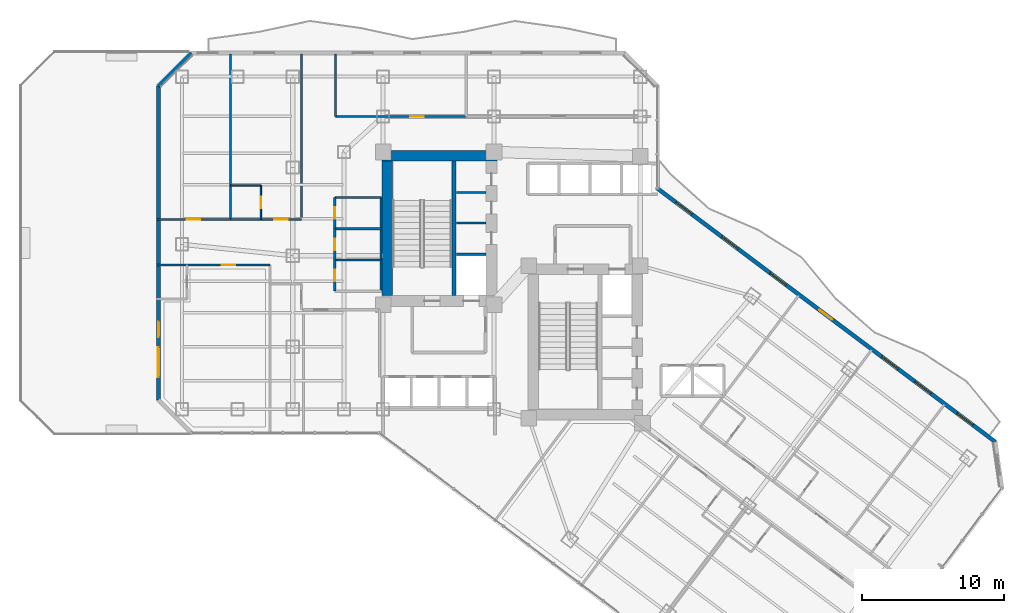
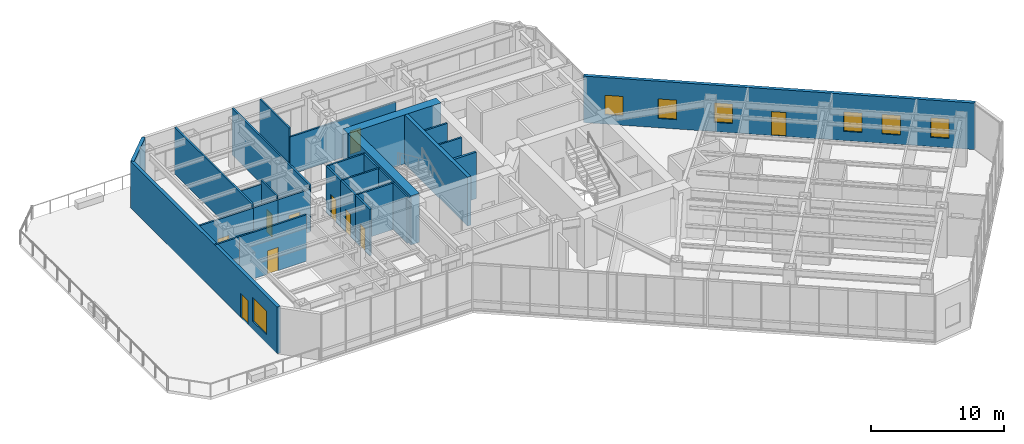
# One storey, part 18 of 27: 27 walls, 10 doors, 7 windows, 17 openings.
"""IFC4 building model written with IfcOpenShell, lengths in metres."""

import ifcopenshell
import ifcopenshell.guid

model = None  # the IFC model being written
_history = None  # IfcOwnerHistory: only IFC2X3 demands one
_inside = {}  # id of a spatial element -> (the spatial element, [elements in it])
_under = {}  # id of a project, library or spatial element -> (it, [spatial elements below it])
_declared = {}  # id of a project -> (the project, [libraries it declares])
_typed = {}  # id of a type object -> (the type object, [elements of that type])
_made_of = {}  # id of a material, layer set ... -> (it, [elements and type objects made of it])


def new_model(schema):
    """Start an empty IFC model of exactly this schema.

    Asked for "IFC4X3", IfcOpenShell would pick the latest addendum, in which some entities
    have other attributes; the version numbers below select the first issue.
    IFC2X3 requires an IfcOwnerHistory on every rooted entity: one is made here for all.
    """
    global model, _history
    if schema == "IFC4X3":
        model = ifcopenshell.file(schema_version=(4, 3, 0, 0))
    else:
        model = ifcopenshell.file(schema=schema)
    _inside.clear()
    _under.clear()
    _declared.clear()
    _typed.clear()
    _made_of.clear()
    _history = None
    if model.schema == "IFC2X3":
        org = make("IfcOrganization", Name="unknown")
        user = make(
            "IfcPersonAndOrganization",
            ThePerson=make("IfcPerson", FamilyName="unknown"),
            TheOrganization=org,
        )
        app = make(
            "IfcApplication",
            ApplicationDeveloper=org,
            Version="unknown",
            ApplicationFullName="unknown",
            ApplicationIdentifier="unknown",
        )
        _history = make(
            "IfcOwnerHistory",
            OwningUser=user,
            OwningApplication=app,
            ChangeAction="ADDED",
            CreationDate=0,
        )
    return model


def make(cls, **values):
    """One entity of the class cls with the attributes given. An attribute that is None is left unset."""
    return model.create_entity(
        cls, **{name: value for name, value in values.items() if value is not None}
    )


def rooted(cls, **values):
    """An entity with a GlobalId (a new one), such as an element, a storey or a relation."""
    return make(cls, GlobalId=ifcopenshell.guid.new(), OwnerHistory=_history, **values)


def si_unit(unit_type, name, prefix=None):
    """IfcSIUnit, for example si_unit("LENGTHUNIT", "METRE", prefix="MILLI")."""
    return make("IfcSIUnit", UnitType=unit_type, Prefix=prefix, Name=name)


def assignment(units):
    """IfcUnitAssignment: the units of a project."""
    return None if units is None else make("IfcUnitAssignment", Units=units)


def point(xyz):
    """IfcCartesianPoint."""
    return None if xyz is None else make("IfcCartesianPoint", Coordinates=xyz)


def direction(xyz):
    """IfcDirection."""
    return None if xyz is None else make("IfcDirection", DirectionRatios=xyz)


def frame(location, z_axis=None, x_axis=None):
    """IfcAxis2Placement3D, a coordinate frame: its origin and axes. An axis left out is left unset."""
    return make(
        "IfcAxis2Placement3D",
        Location=point(location),
        Axis=direction(z_axis),
        RefDirection=direction(x_axis),
    )


def frame_2d(location, x_axis=None):
    """IfcAxis2Placement2D, a coordinate frame in the plane: its origin and x axis."""
    return make(
        "IfcAxis2Placement2D", Location=point(location), RefDirection=direction(x_axis)
    )


def origin():
    """The frame at (0, 0, 0) with its axes left unset."""
    return frame((0.0, 0.0, 0.0))


def place(relative_to, where):
    """IfcLocalPlacement: puts the frame where relative to a parent placement (None: the world)."""
    return make(
        "IfcLocalPlacement", PlacementRelTo=relative_to, RelativePlacement=where
    )


def context(
    kind, dimensions, precision=None, world=None, true_north=None, identifier=None
):
    """IfcGeometricRepresentationContext, for example the 3D "Model" context."""
    return make(
        "IfcGeometricRepresentationContext",
        ContextIdentifier=identifier,
        ContextType=kind,
        CoordinateSpaceDimension=dimensions,
        Precision=precision,
        WorldCoordinateSystem=world,
        TrueNorth=true_north,
    )


def subcontext(parent, identifier, kind, view, scale=None):
    """IfcGeometricRepresentationSubContext, for example "Body" below "Model"."""
    return make(
        "IfcGeometricRepresentationSubContext",
        ContextIdentifier=identifier,
        ContextType=kind,
        ParentContext=parent,
        TargetScale=scale,
        TargetView=view,
    )


def project(units=None, contexts=None):
    """IfcProject with its units and contexts."""
    return rooted(
        "IfcProject",
        Name="project",
        RepresentationContexts=contexts,
        UnitsInContext=assignment(units),
    )


def spatial(cls, under=None, at=None, **own):
    """A site, building, storey or space (cls), placed at a placement, below another one or the project."""
    s = rooted(cls, ObjectPlacement=at, **own)
    if under is not None:
        _under.setdefault(under.id(), (under, []))[1].append(s)
    return s


def profile(cls, at=None, kind="AREA", **sizes):
    """A parametric profile (cls). Its sizes go by their IFC names, for example OverallWidth=200.0."""
    return make(cls, ProfileType=kind, Position=at, **sizes)


def rectangle(**sizes):
    """IfcRectangleProfileDef."""
    return profile("IfcRectangleProfileDef", **sizes)


def extrude(swept, where, along, depth):
    """IfcExtrudedAreaSolid: the profile swept, set in the frame where, extruded along a direction by depth."""
    return make(
        "IfcExtrudedAreaSolid",
        SweptArea=swept,
        Position=where,
        ExtrudedDirection=direction(along),
        Depth=depth,
    )


def shape(context_of_items, identifier, shape_type, items):
    """IfcShapeRepresentation: the items that make up one representation, for example the "Body"."""
    return make(
        "IfcShapeRepresentation",
        ContextOfItems=context_of_items,
        RepresentationIdentifier=identifier,
        RepresentationType=shape_type,
        Items=items,
    )


def material(Name=None, Category=None):
    """IfcMaterial."""
    return make("IfcMaterial", Name=Name, Category=Category)


def layer(
    of_material, thickness, ventilated=None, Name=None, Category=None, Priority=None
):
    """IfcMaterialLayer: one layer of a wall or slab, of a material (None: an air gap)."""
    return make(
        "IfcMaterialLayer",
        Material=of_material,
        LayerThickness=thickness,
        IsVentilated=ventilated,
        Name=Name,
        Category=Category,
        Priority=Priority,
    )


def layer_set(layers, Name=None):
    """IfcMaterialLayerSet."""
    return make("IfcMaterialLayerSet", MaterialLayers=layers, LayerSetName=Name)


def made_of(thing, what):
    """Note that an element or type object is made of a material, layer set ...; save() writes the relation."""
    if what is not None:
        _made_of.setdefault(what.id(), (what, []))[1].append(thing)
    return thing


def type_object(cls, material=None, **own):
    """A type object (cls), such as IfcWallType, which elements share."""
    return made_of(rooted(cls, **own), material)


def element(
    cls,
    number,
    at=None,
    inside=None,
    cuts=None,
    type_object=None,
    material=None,
    context=None,
    identifier="Body",
    shape_type=None,
    held_by="IfcProductDefinitionShape",
    body=None,
    shapes=None,
    **own,
):
    """One element of the class cls, such as IfcWall. Its Tag is "e" and its number.

    at: its placement. inside: the storey or other place that contains it. cuts: it is an
    opening in that element (IfcRelVoidsElement). A single representation is given by context,
    identifier, shape_type and body (its items); several are given by shapes. held_by: the class
    of the entity that holds the representations. save() writes the other relations.
    """
    e = rooted(cls, Tag="e%d" % number, ObjectPlacement=at, **own)
    if body is not None:
        shapes = [shape(context, identifier, shape_type, body)]
    if shapes is not None:
        e.Representation = make(held_by, Representations=shapes)
    if inside is not None:
        _inside.setdefault(inside.id(), (inside, []))[1].append(e)
    if cuts is not None:
        rooted(
            "IfcRelVoidsElement", RelatingBuildingElement=cuts, RelatedOpeningElement=e
        )
    if type_object is not None:
        _typed.setdefault(type_object.id(), (type_object, []))[1].append(e)
    return made_of(e, material)


def fill(opening, filler):
    """IfcRelFillsElement: the door or window that sits in an opening."""
    return rooted(
        "IfcRelFillsElement",
        RelatingOpeningElement=opening,
        RelatedBuildingElement=filler,
    )


def aggregate(whole, parts):
    """IfcRelAggregates: a whole, such as a stair, and the parts it consists of."""
    return rooted("IfcRelAggregates", RelatingObject=whole, RelatedObjects=parts)


def save(model, path):
    """Write the relations noted so far, then the file.

    IfcRelAggregates (storeys below a building ...), IfcRelContainedInSpatialStructure (elements
    in a storey), IfcRelDefinesByType, IfcRelAssociatesMaterial and IfcRelDeclares: one each for
    every whole, place, type object, material and project.
    """
    for whole, parts in _under.values():
        aggregate(whole, parts)
    for where, things in _inside.values():
        rooted(
            "IfcRelContainedInSpatialStructure",
            RelatedElements=things,
            RelatingStructure=where,
        )
    for kind, things in _typed.values():
        rooted("IfcRelDefinesByType", RelatedObjects=things, RelatingType=kind)
    for what, things in _made_of.values():
        rooted("IfcRelAssociatesMaterial", RelatedObjects=things, RelatingMaterial=what)
    for by, libraries in _declared.values():
        rooted("IfcRelDeclares", RelatingContext=by, RelatedDefinitions=libraries)
    model.write(path)


model = new_model("IFC4")

# Units and contexts
model_context = context("Model", 3, precision=1e-05, world=origin(), true_north=direction((0.0, 1.0)))
body_context = subcontext(model_context, "Body", "Model", "MODEL_VIEW")
ifc_project = project(units=[si_unit("LENGTHUNIT", "METRE"), si_unit("AREAUNIT", "SQUARE_METRE"), si_unit("VOLUMEUNIT", "CUBIC_METRE"), si_unit("PLANEANGLEUNIT", "RADIAN"), si_unit("MASSUNIT", "GRAM", prefix="KILO")], contexts=[model_context])

# Site, building, storey
site_placement = place(None, origin())
site = spatial("IfcSite", under=ifc_project, at=site_placement, CompositionType="ELEMENT")
building_placement = place(site_placement, origin())
building = spatial("IfcBuilding", under=site, at=building_placement, Name="Hatsunagi Terrace Concourse", CompositionType="ELEMENT")
storey_placement = place(building_placement, frame((0.0, 0.0, 70.10009765625)))
storey = spatial("IfcBuildingStorey", under=building, at=storey_placement, Name="L18", CompositionType="ELEMENT", Elevation=70.10009765625)

# Walls
ifc_material_1 = material(Name="Concrete Fc60", Category="concrete")
ifc_layer_1 = layer(ifc_material_1, 0.75)
ifc_layer_set_1 = layer_set([ifc_layer_1], Name="CoreShearWall_Fc60_750")
wall_type_1 = type_object("IfcWallType", Name="CoreShearWall_Fc60_750", PredefinedType="SHEAR", material=ifc_layer_set_1)
wall_1_placement = place(storey_placement, frame((25.469970703125, 43.044921875, 0.0), z_axis=(0.0, 0.0, 1.0), x_axis=(1.0, 0.0, 0.0)))
element("IfcWall", 1, at=wall_1_placement, inside=storey, type_object=wall_type_1, Name="Core A Shear Wall N L18", PredefinedType="SHEAR", context=body_context, shape_type="SweptSolid", body=[
    extrude(rectangle(XDim=8.080078125, YDim=0.75, at=frame_2d((4.0400390625, 0.0))), origin(), (0.0, 0.0, 1.0), 4.5),
])
wall_2_placement = place(storey_placement, frame((25.844970703125, 33.18994140625, 0.0), z_axis=(0.0, 0.0, 1.0), x_axis=(0.0, 1.0, 0.0)))
element("IfcWall", 2, at=wall_2_placement, inside=storey, type_object=wall_type_1, Name="Core A Shear Wall W L18", PredefinedType="SHEAR", context=body_context, shape_type="SweptSolid", body=[
    extrude(rectangle(XDim=9.47998046875, YDim=0.75, at=frame_2d((4.739990234375, 0.0))), origin(), (0.0, 0.0, 1.0), 4.5),
])
ifc_material_2 = material(Name="Concrete Fc48", Category="concrete")
ifc_layer_2 = layer(ifc_material_2, 0.300048828125)
ifc_layer_set_2 = layer_set([ifc_layer_2], Name="CoreStairDivider_Fc48_300")
wall_type_2 = type_object("IfcWallType", Name="CoreStairDivider_Fc48_300", PredefinedType="SHEAR", material=ifc_layer_set_2)
wall_3_placement = place(storey_placement, frame((30.5400390625, 33.18994140625, 0.0), z_axis=(0.0, 0.0, 1.0), x_axis=(0.0, 1.0, 0.0)))
element("IfcWall", 3, at=wall_3_placement, inside=storey, type_object=wall_type_2, Name="Core A Shear Wall D L18", PredefinedType="SHEAR", context=body_context, shape_type="SweptSolid", body=[
    extrude(rectangle(XDim=9.47998046875, YDim=0.300048828125, at=frame_2d((4.739990234375, 0.0))), origin(), (0.0, 0.0, 1.0), 4.5),
])

# Wall, opening, door
ifc_material_3 = material(Name="Acoustic mineral board", Category="gypsum")
ifc_layer_3 = layer(ifc_material_3, 0.1201171875)
ifc_layer_set_3 = layer_set([ifc_layer_3], Name="PartitionWall_EI30_120")
wall_type_3 = type_object("IfcWallType", Name="PartitionWall_EI30_120", PredefinedType="PARTITIONING", material=ifc_layer_set_3)
wall_4_placement = place(storey_placement, frame((16.949951171875, 38.550048828125, 0.0), z_axis=(0.0, 0.0, 1.0), x_axis=(0.0, 1.0, 0.0)))
wall_4 = element("IfcWall", 4, at=wall_4_placement, inside=storey, type_object=wall_type_3, Name="Interior Partition IW-L18-053", PredefinedType="PARTITIONING", context=body_context, shape_type="SweptSolid", body=[
    extrude(rectangle(XDim=2.39990234375, YDim=0.1201171875, at=frame_2d((1.199951171875, 0.0))), origin(), (0.0, 0.0, 1.0), 4.27978515625),
])
opening_1_placement = place(wall_4_placement, frame((0.800048828125, 0.0, 0.0)))
opening_1 = element("IfcOpeningElement", 5, at=opening_1_placement, cuts=wall_4, Name="Opening DR-080", PredefinedType="OPENING", context=body_context, shape_type="SweptSolid", body=[
    extrude(rectangle(XDim=0.800048828125, YDim=2.06005859375, at=frame_2d((0.39990234375, 1.030029296875))), frame((0.0, 0.070068359375, 0.0), z_axis=(0.0, -1.0, 0.0), x_axis=(1.0, 0.0, 0.0)), (0.0, 0.0, 1.0), 0.14013671875),
])
ifc_material_4 = material(Name="Hardwood timber", Category="wood")
door_type_1 = type_object("IfcDoorType", Name="BathroomDoor_800", OperationType="NOTDEFINED", PredefinedType="DOOR", material=ifc_material_4)
door_1_placement = place(opening_1_placement, origin())
door_1 = element("IfcDoor", 6, at=door_1_placement, inside=storey, type_object=door_type_1, Name="En-Suite Bathroom L18-N2 Door", OperationType="SINGLE_SWING_LEFT", OverallHeight=2.06005859375, OverallWidth=0.800048828125, PredefinedType="DOOR", context=body_context, shape_type="SweptSolid", body=[
    extrude(rectangle(XDim=0.800048828125, YDim=2.06005859375, at=frame_2d((0.39990234375, 1.030029296875))), frame((0.0, 0.02490234375, 0.0), z_axis=(0.0, -1.0, 0.0), x_axis=(1.0, 0.0, 0.0)), (0.0, 0.0, 1.0), 0.050048828125),
])
fill(opening_1, door_1)

# Walls
wall_5_placement = place(storey_placement, frame((14.800048828125, 40.949951171875, 0.0), z_axis=(0.0, 0.0, 1.0), x_axis=(1.0, 0.0, 0.0)))
element("IfcWall", 7, at=wall_5_placement, inside=storey, type_object=wall_type_3, Name="Interior Partition IW-L18-054", PredefinedType="PARTITIONING", context=body_context, shape_type="SweptSolid", body=[
    extrude(rectangle(XDim=2.14990234375, YDim=0.1201171875, at=frame_2d((1.074951171875, 0.0))), origin(), (0.0, 0.0, 1.0), 3.9248046875),
])
ifc_material_5 = material(Name="Acoustic mineral board", Category="gypsum")
ifc_layer_4 = layer(ifc_material_5, 0.14990234375)
ifc_layer_set_4 = layer_set([ifc_layer_4], Name="PartitionWall_EI60_150")
wall_type_4 = type_object("IfcWallType", Name="PartitionWall_EI60_150", PredefinedType="PARTITIONING", material=ifc_layer_set_4)
for number, where, z_axis, x_axis, name in (
    (8, (30.699951171875, 38.300048828125, 0.0), (0.0, 0.0, 1.0), (1.0, 0.0, 0.0), "Interior Partition IW-L18-002"),
    (9, (30.699951171875, 40.449951171875, 0.0), (0.0, 0.0, 1.0), (1.0, 0.0, 0.0), "Interior Partition IW-L18-003"),
):
    element("IfcWall", number, at=place(storey_placement, frame(where, z_axis=z_axis, x_axis=x_axis)), inside=storey, type_object=wall_type_4, Name=name, PredefinedType="PARTITIONING", context=body_context, shape_type="SweptSolid", body=[
        extrude(rectangle(XDim=2.10009765625, YDim=0.14990234375, at=frame_2d((1.050048828125, 0.0))), origin(), (0.0, 0.0, 1.0), 4.27978515625),
    ])
wall_6_placement = place(storey_placement, frame((22.14990234375, 40.10009765625, 0.0), z_axis=(0.0, 0.0, 1.0), x_axis=(1.0, 0.0, 0.0)))
element("IfcWall", 10, at=wall_6_placement, inside=storey, type_object=wall_type_4, Name="Interior Partition IW-L18-032", PredefinedType="PARTITIONING", context=body_context, shape_type="SweptSolid", body=[
    extrude(rectangle(XDim=3.300048828125, YDim=0.14990234375, at=frame_2d((1.64990234375, 0.0))), origin(), (0.0, 0.0, 1.0), 4.27978515625),
])
wall_7_placement = place(storey_placement, frame((25.39990234375, 33.5, 0.0), z_axis=(0.0, 0.0, 1.0), x_axis=(0.0, 1.0, 0.0)))
element("IfcWall", 11, at=wall_7_placement, inside=storey, type_object=wall_type_4, Name="Interior Partition IW-L18-033", PredefinedType="PARTITIONING", context=body_context, shape_type="SweptSolid", body=[
    extrude(rectangle(XDim=6.60009765625, YDim=0.14990234375, at=frame_2d((3.300048828125, 0.0))), origin(), (0.0, 0.0, 1.0), 4.27978515625),
])
for number, where, z_axis, x_axis, name in (
    (12, (22.14990234375, 35.699951171875, 0.0), (0.0, 0.0, 1.0), (1.0, 0.0, 0.0), "Interior Partition IW-L18-034"),
    (13, (22.14990234375, 37.89990234375, 0.0), (0.0, 0.0, 1.0), (1.0, 0.0, 0.0), "Interior Partition IW-L18-035"),
):
    element("IfcWall", number, at=place(storey_placement, frame(where, z_axis=z_axis, x_axis=x_axis)), inside=storey, type_object=wall_type_4, Name=name, PredefinedType="PARTITIONING", context=body_context, shape_type="SweptSolid", body=[
        extrude(rectangle(XDim=3.300048828125, YDim=0.14990234375, at=frame_2d((1.64990234375, 0.0))), origin(), (0.0, 0.0, 1.0), 4.27978515625),
    ])

# Wall, opening, door
wall_8_placement = place(storey_placement, frame((22.14990234375, 33.5, 0.0), z_axis=(0.0, 0.0, 1.0), x_axis=(0.0, 1.0, 0.0)))
wall_8 = element("IfcWall", 14, at=wall_8_placement, inside=storey, type_object=wall_type_4, Name="Interior Partition IW-L18-036", PredefinedType="PARTITIONING", context=body_context, shape_type="SweptSolid", body=[
    extrude(rectangle(XDim=2.199951171875, YDim=0.14990234375, at=frame_2d((1.10009765625, 0.0))), origin(), (0.0, 0.0, 1.0), 4.27978515625),
])
opening_2_placement = place(wall_8_placement, frame((0.699951171875, 0.0, 0.0)))
opening_2 = element("IfcOpeningElement", 15, at=opening_2_placement, cuts=wall_8, Name="Opening DR-080", PredefinedType="OPENING", context=body_context, shape_type="SweptSolid", body=[
    extrude(rectangle(XDim=0.800048828125, YDim=2.06005859375, at=frame_2d((0.39990234375, 1.030029296875))), frame((0.0, 0.0849609375, 0.0), z_axis=(0.0, -1.0, 0.0), x_axis=(1.0, 0.0, 0.0)), (0.0, 0.0, 1.0), 0.169921875),
])
door_2_placement = place(opening_2_placement, origin())
door_2 = element("IfcDoor", 16, at=door_2_placement, inside=storey, type_object=door_type_1, Name="Accessible WC Door L18", OperationType="SINGLE_SWING_RIGHT", OverallHeight=2.06005859375, OverallWidth=0.800048828125, PredefinedType="DOOR", context=body_context, shape_type="SweptSolid", body=[
    extrude(rectangle(XDim=0.800048828125, YDim=2.06005859375, at=frame_2d((0.39990234375, 1.030029296875))), frame((0.0, 0.02490234375, 0.0), z_axis=(0.0, -1.0, 0.0), x_axis=(1.0, 0.0, 0.0)), (0.0, 0.0, 1.0), 0.050048828125),
])
fill(opening_2, door_2)

wall_9_placement = place(storey_placement, frame((22.14990234375, 35.699951171875, 0.0), z_axis=(0.0, 0.0, 1.0), x_axis=(0.0, 1.0, 0.0)))
wall_9 = element("IfcWall", 17, at=wall_9_placement, inside=storey, type_object=wall_type_4, Name="Interior Partition IW-L18-037", PredefinedType="PARTITIONING", context=body_context, shape_type="SweptSolid", body=[
    extrude(rectangle(XDim=2.199951171875, YDim=0.14990234375, at=frame_2d((1.10009765625, 0.0))), origin(), (0.0, 0.0, 1.0), 4.27978515625),
])
opening_3_placement = place(wall_9_placement, frame((0.699951171875, 0.0, 0.0)))
opening_3 = element("IfcOpeningElement", 18, at=opening_3_placement, cuts=wall_9, Name="Opening DR-080", PredefinedType="OPENING", context=body_context, shape_type="SweptSolid", body=[
    extrude(rectangle(XDim=0.800048828125, YDim=2.06005859375, at=frame_2d((0.39990234375, 1.030029296875))), frame((0.0, 0.0849609375, 0.0), z_axis=(0.0, -1.0, 0.0), x_axis=(1.0, 0.0, 0.0)), (0.0, 0.0, 1.0), 0.169921875),
])
door_3_placement = place(opening_3_placement, origin())
door_3 = element("IfcDoor", 19, at=door_3_placement, inside=storey, type_object=door_type_1, Name="Female Restroom Door L18", OperationType="SINGLE_SWING_RIGHT", OverallHeight=2.06005859375, OverallWidth=0.800048828125, PredefinedType="DOOR", context=body_context, shape_type="SweptSolid", body=[
    extrude(rectangle(XDim=0.800048828125, YDim=2.06005859375, at=frame_2d((0.39990234375, 1.030029296875))), frame((0.0, 0.02490234375, 0.0), z_axis=(0.0, -1.0, 0.0), x_axis=(1.0, 0.0, 0.0)), (0.0, 0.0, 1.0), 0.050048828125),
])
fill(opening_3, door_3)

wall_10_placement = place(storey_placement, frame((22.14990234375, 37.89990234375, 0.0), z_axis=(0.0, 0.0, 1.0), x_axis=(0.0, 1.0, 0.0)))
wall_10 = element("IfcWall", 20, at=wall_10_placement, inside=storey, type_object=wall_type_4, Name="Interior Partition IW-L18-038", PredefinedType="PARTITIONING", context=body_context, shape_type="SweptSolid", body=[
    extrude(rectangle(XDim=2.2001953125, YDim=0.14990234375, at=frame_2d((1.10009765625, 0.0))), origin(), (0.0, 0.0, 1.0), 4.27978515625),
])
opening_4_placement = place(wall_10_placement, frame((0.699951171875, 0.0, 0.0)))
opening_4 = element("IfcOpeningElement", 21, at=opening_4_placement, cuts=wall_10, Name="Opening DR-080", PredefinedType="OPENING", context=body_context, shape_type="SweptSolid", body=[
    extrude(rectangle(XDim=0.800048828125, YDim=2.06005859375, at=frame_2d((0.39990234375, 1.030029296875))), frame((0.0, 0.0849609375, 0.0), z_axis=(0.0, -1.0, 0.0), x_axis=(1.0, 0.0, 0.0)), (0.0, 0.0, 1.0), 0.169921875),
])
door_4_placement = place(opening_4_placement, origin())
door_4 = element("IfcDoor", 22, at=door_4_placement, inside=storey, type_object=door_type_1, Name="Male Restroom Door L18", OperationType="SINGLE_SWING_RIGHT", OverallHeight=2.06005859375, OverallWidth=0.800048828125, PredefinedType="DOOR", context=body_context, shape_type="SweptSolid", body=[
    extrude(rectangle(XDim=0.800048828125, YDim=2.06005859375, at=frame_2d((0.39990234375, 1.030029296875))), frame((0.0, 0.02490234375, 0.0), z_axis=(0.0, -1.0, 0.0), x_axis=(1.0, 0.0, 0.0)), (0.0, 0.0, 1.0), 0.050048828125),
])
fill(opening_4, door_4)

wall_11_placement = place(storey_placement, frame((22.199951171875, 45.800048828125, 0.0), z_axis=(0.0, 0.0, 1.0), x_axis=(1.0, 0.0, 0.0)))
wall_11 = element("IfcWall", 23, at=wall_11_placement, inside=storey, type_object=wall_type_4, Name="Interior Partition IW-L18-039", PredefinedType="PARTITIONING", context=body_context, shape_type="SweptSolid", body=[
    extrude(rectangle(XDim=9.199951171875, YDim=0.14990234375, at=frame_2d((4.60009765625, 0.0))), origin(), (0.0, 0.0, 1.0), 3.474853515625),
])
opening_5_placement = place(wall_11_placement, frame((5.248046875, 0.0, 0.0)))
opening_5 = element("IfcOpeningElement", 24, at=opening_5_placement, cuts=wall_11, Name="Opening DR-095", PredefinedType="OPENING", context=body_context, shape_type="SweptSolid", body=[
    extrude(rectangle(XDim=0.949951171875, YDim=2.14990234375, at=frame_2d((0.47509765625, 1.074951171875))), frame((0.0, 0.0849609375, 0.0), z_axis=(0.0, -1.0, 0.0), x_axis=(1.0, 0.0, 0.0)), (0.0, 0.0, 1.0), 0.169921875),
])
ifc_material_6 = material(Name="Hardwood timber", Category="wood")
door_type_2 = type_object("IfcDoorType", Name="InteriorSuiteDoor_EI30_950", OperationType="NOTDEFINED", PredefinedType="DOOR", material=ifc_material_6)
door_5_placement = place(opening_5_placement, origin())
door_5 = element("IfcDoor", 25, at=door_5_placement, inside=storey, type_object=door_type_2, Name="Housekeeping Linen Room L18-HLIN Door", OperationType="SINGLE_SWING_LEFT", OverallHeight=2.14990234375, OverallWidth=0.949951171875, PredefinedType="DOOR", context=body_context, shape_type="SweptSolid", body=[
    extrude(rectangle(XDim=0.949951171875, YDim=2.14990234375, at=frame_2d((0.47509765625, 1.074951171875))), frame((0.0, 0.02490234375, 0.0), z_axis=(0.0, -1.0, 0.0), x_axis=(1.0, 0.0, 0.0)), (0.0, 0.0, 1.0), 0.050048828125),
])
fill(opening_5, door_5)

# Wall
wall_12_placement = place(storey_placement, frame((22.199951171875, 45.800048828125, 0.0), z_axis=(0.0, 0.0, 1.0), x_axis=(0.0, 1.0, 0.0)))
element("IfcWall", 26, at=wall_12_placement, inside=storey, type_object=wall_type_4, Name="Interior Partition IW-L18-040", PredefinedType="PARTITIONING", context=body_context, shape_type="SweptSolid", body=[
    extrude(rectangle(XDim=4.39990234375, YDim=0.14990234375, at=frame_2d((2.199951171875, 0.0))), origin(), (0.0, 0.0, 1.0), 4.27978515625),
])

# Wall, opening, door
wall_13_placement = place(storey_placement, frame((9.639892578125, 38.550048828125, 0.0), z_axis=(0.0, 0.0, 1.0), x_axis=(1.0, 0.0, 0.0)))
wall_13 = element("IfcWall", 27, at=wall_13_placement, inside=storey, type_object=wall_type_4, Name="Interior Partition IW-L18-049", PredefinedType="PARTITIONING", context=body_context, shape_type="SweptSolid", body=[
    extrude(rectangle(XDim=5.16015625, YDim=0.14990234375, at=frame_2d((2.580078125, 0.0))), origin(), (0.0, 0.0, 1.0), 3.9248046875),
])
opening_6_placement = place(wall_13_placement, frame((2.10498046875, 0.0, 0.0)))
opening_6 = element("IfcOpeningElement", 28, at=opening_6_placement, cuts=wall_13, Name="Opening DR-095", PredefinedType="OPENING", context=body_context, shape_type="SweptSolid", body=[
    extrude(rectangle(XDim=0.949951171875, YDim=2.14990234375, at=frame_2d((0.47509765625, 1.074951171875))), frame((0.0, 0.0849609375, 0.0), z_axis=(0.0, -1.0, 0.0), x_axis=(1.0, 0.0, 0.0)), (0.0, 0.0, 1.0), 0.169921875),
])
door_6_placement = place(opening_6_placement, origin())
door_6 = element("IfcDoor", 29, at=door_6_placement, inside=storey, type_object=door_type_2, Name="Botanical Lounge L18-N1 Door", OperationType="SINGLE_SWING_LEFT", OverallHeight=2.14990234375, OverallWidth=0.949951171875, PredefinedType="DOOR", context=body_context, shape_type="SweptSolid", body=[
    extrude(rectangle(XDim=0.949951171875, YDim=2.14990234375, at=frame_2d((0.47509765625, 1.074951171875))), frame((0.0, 0.02490234375, 0.0), z_axis=(0.0, -1.0, 0.0), x_axis=(1.0, 0.0, 0.0)), (0.0, 0.0, 1.0), 0.050048828125),
])
fill(opening_6, door_6)

# Walls
wall_14_placement = place(storey_placement, frame((14.800048828125, 38.550048828125, 0.0), z_axis=(0.0, 0.0, 1.0), x_axis=(0.0, 1.0, 0.0)))
element("IfcWall", 30, at=wall_14_placement, inside=storey, type_object=wall_type_4, Name="Interior Partition IW-L18-050", PredefinedType="PARTITIONING", context=body_context, shape_type="SweptSolid", body=[
    extrude(rectangle(XDim=11.64990234375, YDim=0.14990234375, at=frame_2d((5.824951171875, 0.0))), origin(), (0.0, 0.0, 1.0), 4.27978515625),
])
wall_15_placement = place(storey_placement, frame((14.800048828125, 38.550048828125, 0.0), z_axis=(0.0, 0.0, 1.0), x_axis=(1.0, 0.0, 0.0)))
element("IfcWall", 31, at=wall_15_placement, inside=storey, type_object=wall_type_4, Name="Interior Partition IW-L18-051", PredefinedType="PARTITIONING", context=body_context, shape_type="SweptSolid", body=[
    extrude(rectangle(XDim=2.14990234375, YDim=0.14990234375, at=frame_2d((1.074951171875, 0.0))), origin(), (0.0, 0.0, 1.0), 3.9248046875),
])

# Wall, opening, door
wall_16_placement = place(storey_placement, frame((16.949951171875, 38.550048828125, 0.0), z_axis=(0.0, 0.0, 1.0), x_axis=(1.0, 0.0, 0.0)))
wall_16 = element("IfcWall", 32, at=wall_16_placement, inside=storey, type_object=wall_type_4, Name="Interior Partition IW-L18-052", PredefinedType="PARTITIONING", context=body_context, shape_type="SweptSolid", body=[
    extrude(rectangle(XDim=2.85009765625, YDim=0.14990234375, at=frame_2d((1.425048828125, 0.0))), origin(), (0.0, 0.0, 1.0), 3.9248046875),
])
opening_7_placement = place(wall_16_placement, frame((0.949951171875, 0.0, 0.0)))
opening_7 = element("IfcOpeningElement", 33, at=opening_7_placement, cuts=wall_16, Name="Opening DR-095", PredefinedType="OPENING", context=body_context, shape_type="SweptSolid", body=[
    extrude(rectangle(XDim=0.949951171875, YDim=2.14990234375, at=frame_2d((0.47509765625, 1.074951171875))), frame((0.0, 0.0849609375, 0.0), z_axis=(0.0, -1.0, 0.0), x_axis=(1.0, 0.0, 0.0)), (0.0, 0.0, 1.0), 0.169921875),
])
door_7_placement = place(opening_7_placement, origin())
door_7 = element("IfcDoor", 34, at=door_7_placement, inside=storey, type_object=door_type_2, Name="Hotel Guest Room L18-N2 Door", OperationType="SINGLE_SWING_LEFT", OverallHeight=2.14990234375, OverallWidth=0.949951171875, PredefinedType="DOOR", context=body_context, shape_type="SweptSolid", body=[
    extrude(rectangle(XDim=0.949951171875, YDim=2.14990234375, at=frame_2d((0.47509765625, 1.074951171875))), frame((0.0, 0.02490234375, 0.0), z_axis=(0.0, -1.0, 0.0), x_axis=(1.0, 0.0, 0.0)), (0.0, 0.0, 1.0), 0.050048828125),
])
fill(opening_7, door_7)

# Walls
wall_17_placement = place(storey_placement, frame((19.800048828125, 38.550048828125, 0.0), z_axis=(0.0, 0.0, 1.0), x_axis=(0.0, 1.0, 0.0)))
element("IfcWall", 35, at=wall_17_placement, inside=storey, type_object=wall_type_4, Name="Interior Partition IW-L18-055", PredefinedType="PARTITIONING", context=body_context, shape_type="SweptSolid", body=[
    extrude(rectangle(XDim=11.64990234375, YDim=0.14990234375, at=frame_2d((5.824951171875, 0.0))), origin(), (0.0, 0.0, 1.0), 4.27978515625),
])
wall_18_placement = place(storey_placement, frame((9.639892578125, 35.35009765625, 0.0), z_axis=(0.0, 0.0, 1.0), x_axis=(1.0, 0.0, 0.0)))
element("IfcWall", 36, at=wall_18_placement, inside=storey, type_object=wall_type_4, Name="Interior Partition IW-L18-056", PredefinedType="PARTITIONING", context=body_context, shape_type="SweptSolid", body=[
    extrude(rectangle(XDim=2.110107421875, YDim=0.14990234375, at=frame_2d((1.05517578125, 0.0))), origin(), (0.0, 0.0, 1.0), 4.27978515625),
])

# Wall, opening, door
wall_19_placement = place(storey_placement, frame((11.75, 35.35009765625, 0.0), z_axis=(0.0, 0.0, 1.0), x_axis=(1.0, 0.0, 0.0)))
wall_19 = element("IfcWall", 37, at=wall_19_placement, inside=storey, type_object=wall_type_4, Name="Interior Partition IW-L18-057", PredefinedType="PARTITIONING", context=body_context, shape_type="SweptSolid", body=[
    extrude(rectangle(XDim=5.85009765625, YDim=0.14990234375, at=frame_2d((2.925048828125, 0.0))), origin(), (0.0, 0.0, 1.0), 4.27978515625),
])
opening_8_placement = place(wall_19_placement, frame((2.449951171875, 0.0, 0.0)))
opening_8 = element("IfcOpeningElement", 38, at=opening_8_placement, cuts=wall_19, Name="Opening DR-095", PredefinedType="OPENING", context=body_context, shape_type="SweptSolid", body=[
    extrude(rectangle(XDim=0.949951171875, YDim=2.14990234375, at=frame_2d((0.47509765625, 1.074951171875))), frame((0.0, 0.0849609375, 0.0), z_axis=(0.0, -1.0, 0.0), x_axis=(1.0, 0.0, 0.0)), (0.0, 0.0, 1.0), 0.169921875),
])
door_8_placement = place(opening_8_placement, origin())
door_8 = element("IfcDoor", 39, at=door_8_placement, inside=storey, type_object=door_type_2, Name="Corner Hotel Suite L18-S1 Door", OperationType="SINGLE_SWING_RIGHT", OverallHeight=2.14990234375, OverallWidth=0.949951171875, PredefinedType="DOOR", context=body_context, shape_type="SweptSolid", body=[
    extrude(rectangle(XDim=0.949951171875, YDim=2.14990234375, at=frame_2d((0.47509765625, 1.074951171875))), frame((0.0, 0.02490234375, 0.0), z_axis=(0.0, -1.0, 0.0), x_axis=(1.0, 0.0, 0.0)), (0.0, 0.0, 1.0), 0.050048828125),
])
fill(opening_8, door_8)

# Wall
ifc_material_7 = material(Name="Acoustic mineral board", Category="gypsum")
ifc_layer_5 = layer(ifc_material_7, 0.199951171875)
ifc_layer_set_5 = layer_set([ifc_layer_5], Name="ShaftWall_EI120_200")
wall_type_5 = type_object("IfcWallType", Name="ShaftWall_EI120_200", PredefinedType="STANDARD", material=ifc_layer_set_5)
wall_20_placement = place(storey_placement, frame((30.699951171875, 36.10009765625, 0.0), z_axis=(0.0, 0.0, 1.0), x_axis=(1.0, 0.0, 0.0)))
element("IfcWall", 40, at=wall_20_placement, inside=storey, type_object=wall_type_5, Name="Interior Partition IW-L18-001", PredefinedType="STANDARD", context=body_context, shape_type="SweptSolid", body=[
    extrude(rectangle(XDim=2.10009765625, YDim=0.199951171875, at=frame_2d((1.050048828125, 0.0))), origin(), (0.0, 0.0, 1.0), 4.27978515625),
])

# Wall, openings, door, windows
ifc_material_8 = material(Name="Autoclaved Lightweight Concrete and Terracotta Cladding", Category="masonry")
ifc_layer_6 = layer(ifc_material_8, 0.280029296875)
ifc_layer_set_6 = layer_set([ifc_layer_6], Name="TerracottaSpandrelWall_280")
wall_type_6 = type_object("IfcWallType", Name="TerracottaSpandrelWall_280", PredefinedType="STANDARD", material=ifc_layer_set_6)
wall_21_placement = place(storey_placement, frame((44.860107421875, 40.72998046875, 0.0), z_axis=(0.0, 0.0, 1.0), x_axis=(0.800006902154, -0.599990797017, 0.0)))
wall_21 = element("IfcWall", 41, at=wall_21_placement, inside=storey, type_object=wall_type_6, Name="Exterior Spandrel Wall EW-L18-01", PredefinedType="STANDARD", context=body_context, shape_type="SweptSolid", body=[
    extrude(rectangle(XDim=29.7119140625, YDim=0.280029296875, at=frame_2d((14.85595703125, 0.0))), origin(), (0.0, 0.0, 1.0), 4.27978515625),
])
opening_9_placement = place(wall_21_placement, frame((14.2490234375, 0.0, 0.0)))
opening_9 = element("IfcOpeningElement", 42, at=opening_9_placement, cuts=wall_21, Name="Opening BD-01", PredefinedType="OPENING", context=body_context, shape_type="SweptSolid", body=[
    extrude(rectangle(XDim=1.10009765625, YDim=2.199951171875, at=frame_2d((0.550048828125, 1.10009765625))), frame((0.0, 0.14990234375, 0.0), z_axis=(0.0, -1.0, 0.0), x_axis=(1.0, 0.0, 0.0)), (0.0, 0.0, 1.0), 0.300048828125),
])
opening_10_placement = place(wall_21_placement, frame((1.612060546875, 0.0, 0.85009765625)))
opening_10 = element("IfcOpeningElement", 43, at=opening_10_placement, cuts=wall_21, Name="Opening WIN-02", PredefinedType="OPENING", context=body_context, shape_type="SweptSolid", body=[
    extrude(rectangle(XDim=1.39990234375, YDim=1.800048828125, at=frame_2d((0.699951171875, 0.89990234375))), frame((0.0, 0.14990234375, 0.0), z_axis=(0.0, -1.0, 0.0), x_axis=(1.0, 0.0, 0.0)), (0.0, 0.0, 1.0), 0.300048828125),
])
opening_11_placement = place(wall_21_placement, frame((5.6669921875, 0.0, 0.85009765625)))
opening_11 = element("IfcOpeningElement", 44, at=opening_11_placement, cuts=wall_21, Name="Opening WIN-02", PredefinedType="OPENING", context=body_context, shape_type="SweptSolid", body=[
    extrude(rectangle(XDim=1.39990234375, YDim=1.800048828125, at=frame_2d((0.699951171875, 0.89990234375))), frame((0.0, 0.14990234375, 0.0), z_axis=(0.0, -1.0, 0.0), x_axis=(1.0, 0.0, 0.0)), (0.0, 0.0, 1.0), 0.300048828125),
])
opening_12_placement = place(wall_21_placement, frame((9.912109375, 0.0, 0.85009765625)))
opening_12 = element("IfcOpeningElement", 45, at=opening_12_placement, cuts=wall_21, Name="Opening WIN-02", PredefinedType="OPENING", context=body_context, shape_type="SweptSolid", body=[
    extrude(rectangle(XDim=1.39990234375, YDim=1.800048828125, at=frame_2d((0.699951171875, 0.89990234375))), frame((0.0, 0.14990234375, 0.0), z_axis=(0.0, -1.0, 0.0), x_axis=(1.0, 0.0, 0.0)), (0.0, 0.0, 1.0), 0.300048828125),
])
opening_13_placement = place(wall_21_placement, frame((19.742919921875, 0.0, 0.85009765625)))
opening_13 = element("IfcOpeningElement", 46, at=opening_13_placement, cuts=wall_21, Name="Opening WIN-02", PredefinedType="OPENING", context=body_context, shape_type="SweptSolid", body=[
    extrude(rectangle(XDim=1.39990234375, YDim=1.800048828125, at=frame_2d((0.699951171875, 0.89990234375))), frame((0.0, 0.14990234375, 0.0), z_axis=(0.0, -1.0, 0.0), x_axis=(1.0, 0.0, 0.0)), (0.0, 0.0, 1.0), 0.300048828125),
])
opening_14_placement = place(wall_21_placement, frame((22.64501953125, 0.0, 0.85009765625)))
opening_14 = element("IfcOpeningElement", 47, at=opening_14_placement, cuts=wall_21, Name="Opening WIN-02", PredefinedType="OPENING", context=body_context, shape_type="SweptSolid", body=[
    extrude(rectangle(XDim=1.39990234375, YDim=1.800048828125, at=frame_2d((0.699951171875, 0.89990234375))), frame((0.0, 0.14990234375, 0.0), z_axis=(0.0, -1.0, 0.0), x_axis=(1.0, 0.0, 0.0)), (0.0, 0.0, 1.0), 0.300048828125),
])
opening_15_placement = place(wall_21_placement, frame((26.35400390625, 0.0, 0.85009765625)))
opening_15 = element("IfcOpeningElement", 48, at=opening_15_placement, cuts=wall_21, Name="Opening WIN-02", PredefinedType="OPENING", context=body_context, shape_type="SweptSolid", body=[
    extrude(rectangle(XDim=1.39990234375, YDim=1.800048828125, at=frame_2d((0.699951171875, 0.89990234375))), frame((0.0, 0.14990234375, 0.0), z_axis=(0.0, -1.0, 0.0), x_axis=(1.0, 0.0, 0.0)), (0.0, 0.0, 1.0), 0.300048828125),
])
ifc_material_9 = material(Name="Galvanised Steel and Laminated Safety Glass", Category="steel")
door_type_3 = type_object("IfcDoorType", Name="BalconyTerraceAccessDoor_1100x2200", OperationType="SINGLE_SWING_LEFT", PredefinedType="DOOR", material=ifc_material_9)
door_9_placement = place(opening_9_placement, origin())
door_9 = element("IfcDoor", 49, at=door_9_placement, inside=storey, type_object=door_type_3, Name="Engawa Balcony Door L18-BSE", OperationType="SINGLE_SWING_LEFT", OverallHeight=2.199951171875, OverallWidth=1.10009765625, PredefinedType="DOOR", context=body_context, shape_type="SweptSolid", body=[
    extrude(rectangle(XDim=1.10009765625, YDim=2.199951171875, at=frame_2d((0.550048828125, 1.10009765625))), frame((0.0, 0.02490234375, 0.0), z_axis=(0.0, -1.0, 0.0), x_axis=(1.0, 0.0, 0.0)), (0.0, 0.0, 1.0), 0.050048828125),
])
fill(opening_9, door_9)
ifc_material_10 = material(Name="Thermally Broken Aluminium and Low-E Triple Glazing", Category="aluminium")
window_type_1 = type_object("IfcWindowType", Name="HotelOperableVentWindow_1400x1800", PartitioningType="DOUBLE_PANEL_VERTICAL", PredefinedType="WINDOW", material=ifc_material_10)
window_1_placement = place(opening_10_placement, origin())
window_1 = element("IfcWindow", 50, at=window_1_placement, inside=storey, type_object=window_type_1, Name="Balcony Daylighting Window L18-01-1", OverallHeight=1.800048828125, OverallWidth=1.39990234375, PartitioningType="SINGLE_PANEL", PredefinedType="WINDOW", context=body_context, shape_type="SweptSolid", body=[
    extrude(rectangle(XDim=1.39990234375, YDim=1.800048828125, at=frame_2d((0.699951171875, 0.89990234375))), frame((0.0, 0.030029296875, 0.0), z_axis=(0.0, -1.0, 0.0), x_axis=(1.0, 0.0, 0.0)), (0.0, 0.0, 1.0), 0.06005859375),
])
fill(opening_10, window_1)
window_2_placement = place(opening_11_placement, origin())
window_2 = element("IfcWindow", 51, at=window_2_placement, inside=storey, type_object=window_type_1, Name="Balcony Daylighting Window L18-01-2", OverallHeight=1.800048828125, OverallWidth=1.39990234375, PartitioningType="SINGLE_PANEL", PredefinedType="WINDOW", context=body_context, shape_type="SweptSolid", body=[
    extrude(rectangle(XDim=1.39990234375, YDim=1.800048828125, at=frame_2d((0.699951171875, 0.89990234375))), frame((0.0, 0.030029296875, 0.0), z_axis=(0.0, -1.0, 0.0), x_axis=(1.0, 0.0, 0.0)), (0.0, 0.0, 1.0), 0.06005859375),
])
fill(opening_11, window_2)
window_3_placement = place(opening_12_placement, origin())
window_3 = element("IfcWindow", 52, at=window_3_placement, inside=storey, type_object=window_type_1, Name="Balcony Daylighting Window L18-01-3", OverallHeight=1.800048828125, OverallWidth=1.39990234375, PartitioningType="SINGLE_PANEL", PredefinedType="WINDOW", context=body_context, shape_type="SweptSolid", body=[
    extrude(rectangle(XDim=1.39990234375, YDim=1.800048828125, at=frame_2d((0.699951171875, 0.89990234375))), frame((0.0, 0.030029296875, 0.0), z_axis=(0.0, -1.0, 0.0), x_axis=(1.0, 0.0, 0.0)), (0.0, 0.0, 1.0), 0.06005859375),
])
fill(opening_12, window_3)
window_4_placement = place(opening_13_placement, origin())
window_4 = element("IfcWindow", 53, at=window_4_placement, inside=storey, type_object=window_type_1, Name="Balcony Daylighting Window L18-01-5", OverallHeight=1.800048828125, OverallWidth=1.39990234375, PartitioningType="SINGLE_PANEL", PredefinedType="WINDOW", context=body_context, shape_type="SweptSolid", body=[
    extrude(rectangle(XDim=1.39990234375, YDim=1.800048828125, at=frame_2d((0.699951171875, 0.89990234375))), frame((0.0, 0.030029296875, 0.0), z_axis=(0.0, -1.0, 0.0), x_axis=(1.0, 0.0, 0.0)), (0.0, 0.0, 1.0), 0.06005859375),
])
fill(opening_13, window_4)
window_5_placement = place(opening_14_placement, origin())
window_5 = element("IfcWindow", 54, at=window_5_placement, inside=storey, type_object=window_type_1, Name="Balcony Daylighting Window L18-01-6", OverallHeight=1.800048828125, OverallWidth=1.39990234375, PartitioningType="SINGLE_PANEL", PredefinedType="WINDOW", context=body_context, shape_type="SweptSolid", body=[
    extrude(rectangle(XDim=1.39990234375, YDim=1.800048828125, at=frame_2d((0.699951171875, 0.89990234375))), frame((0.0, 0.030029296875, 0.0), z_axis=(0.0, -1.0, 0.0), x_axis=(1.0, 0.0, 0.0)), (0.0, 0.0, 1.0), 0.06005859375),
])
fill(opening_14, window_5)
window_6_placement = place(opening_15_placement, origin())
window_6 = element("IfcWindow", 55, at=window_6_placement, inside=storey, type_object=window_type_1, Name="Balcony Daylighting Window L18-01-7", OverallHeight=1.800048828125, OverallWidth=1.39990234375, PartitioningType="SINGLE_PANEL", PredefinedType="WINDOW", context=body_context, shape_type="SweptSolid", body=[
    extrude(rectangle(XDim=1.39990234375, YDim=1.800048828125, at=frame_2d((0.699951171875, 0.89990234375))), frame((0.0, 0.030029296875, 0.0), z_axis=(0.0, -1.0, 0.0), x_axis=(1.0, 0.0, 0.0)), (0.0, 0.0, 1.0), 0.06005859375),
])
fill(opening_15, window_6)

# Wall, openings, door, window
wall_22_placement = place(storey_placement, frame((9.739990234375, 25.85791015625, 0.0), z_axis=(0.0, 0.0, 1.0), x_axis=(0.0, 1.0, 0.0)))
wall_22 = element("IfcWall", 56, at=wall_22_placement, inside=storey, type_object=wall_type_6, Name="Exterior Spandrel Wall EW-L18-09", PredefinedType="STANDARD", context=body_context, shape_type="SweptSolid", body=[
    extrude(rectangle(XDim=22.083984375, YDim=0.280029296875, at=frame_2d((11.0419921875, 0.0))), origin(), (0.0, 0.0, 1.0), 4.27978515625),
])
opening_16_placement = place(wall_22_placement, frame((4.406982421875, 0.0, 0.0)))
opening_16 = element("IfcOpeningElement", 57, at=opening_16_placement, cuts=wall_22, Name="Opening BD-01", PredefinedType="OPENING", context=body_context, shape_type="SweptSolid", body=[
    extrude(rectangle(XDim=1.10009765625, YDim=2.199951171875, at=frame_2d((0.550048828125, 1.10009765625))), frame((0.0, 0.14990234375, 0.0), z_axis=(0.0, -1.0, 0.0), x_axis=(1.0, 0.0, 0.0)), (0.0, 0.0, 1.0), 0.300048828125),
])
opening_17_placement = place(wall_22_placement, frame((1.60009765625, 0.0, 0.75)))
opening_17 = element("IfcOpeningElement", 58, at=opening_17_placement, cuts=wall_22, Name="Opening WIN-04", PredefinedType="OPENING", context=body_context, shape_type="SweptSolid", body=[
    extrude(rectangle(XDim=2.10009765625, YDim=2.199951171875, at=frame_2d((1.050048828125, 1.10009765625))), frame((0.0, 0.14990234375, 0.0), z_axis=(0.0, -1.0, 0.0), x_axis=(1.0, 0.0, 0.0)), (0.0, 0.0, 1.0), 0.300048828125),
])
door_10_placement = place(opening_16_placement, origin())
door_10 = element("IfcDoor", 59, at=door_10_placement, inside=storey, type_object=door_type_3, Name="Sky Garden Terrace Door TER-L18-1", OperationType="SINGLE_SWING_LEFT", OverallHeight=2.199951171875, OverallWidth=1.10009765625, PredefinedType="DOOR", context=body_context, shape_type="SweptSolid", body=[
    extrude(rectangle(XDim=1.10009765625, YDim=2.199951171875, at=frame_2d((0.550048828125, 1.10009765625))), frame((0.0, 0.02490234375, 0.0), z_axis=(0.0, -1.0, 0.0), x_axis=(1.0, 0.0, 0.0)), (0.0, 0.0, 1.0), 0.050048828125),
])
fill(opening_16, door_10)
ifc_material_11 = material(Name="Thermally Broken Aluminium and Low-E Triple Glazing", Category="aluminium")
window_type_2 = type_object("IfcWindowType", Name="SkyGardenConservatoryWindow_2100x2200", PartitioningType="DOUBLE_PANEL_HORIZONTAL", PredefinedType="WINDOW", material=ifc_material_11)
window_7_placement = place(opening_17_placement, origin())
window_7 = element("IfcWindow", 60, at=window_7_placement, inside=storey, type_object=window_type_2, Name="Terrace Panorama Window L18-09", OverallHeight=2.199951171875, OverallWidth=2.10009765625, PartitioningType="SINGLE_PANEL", PredefinedType="WINDOW", context=body_context, shape_type="SweptSolid", body=[
    extrude(rectangle(XDim=2.10009765625, YDim=2.199951171875, at=frame_2d((1.050048828125, 1.10009765625))), frame((0.0, 0.030029296875, 0.0), z_axis=(0.0, -1.0, 0.0), x_axis=(1.0, 0.0, 0.0)), (0.0, 0.0, 1.0), 0.06005859375),
])
fill(opening_17, window_7)

# Wall
wall_23_placement = place(storey_placement, frame((9.739990234375, 47.94189453125, 0.0), z_axis=(0.0, 0.0, 1.0), x_axis=(0.707106781187, 0.707106781187, 0.0)))
element("IfcWall", 61, at=wall_23_placement, inside=storey, type_object=wall_type_6, Name="Exterior Spandrel Wall EW-L18-10", PredefinedType="STANDARD", context=body_context, shape_type="SweptSolid", body=[
    extrude(rectangle(XDim=3.2783203125, YDim=0.280029296875, at=frame_2d((1.63916015625, 0.0))), origin(), (0.0, 0.0, 1.0), 4.27978515625),
])

save(model, "model.ifc")
